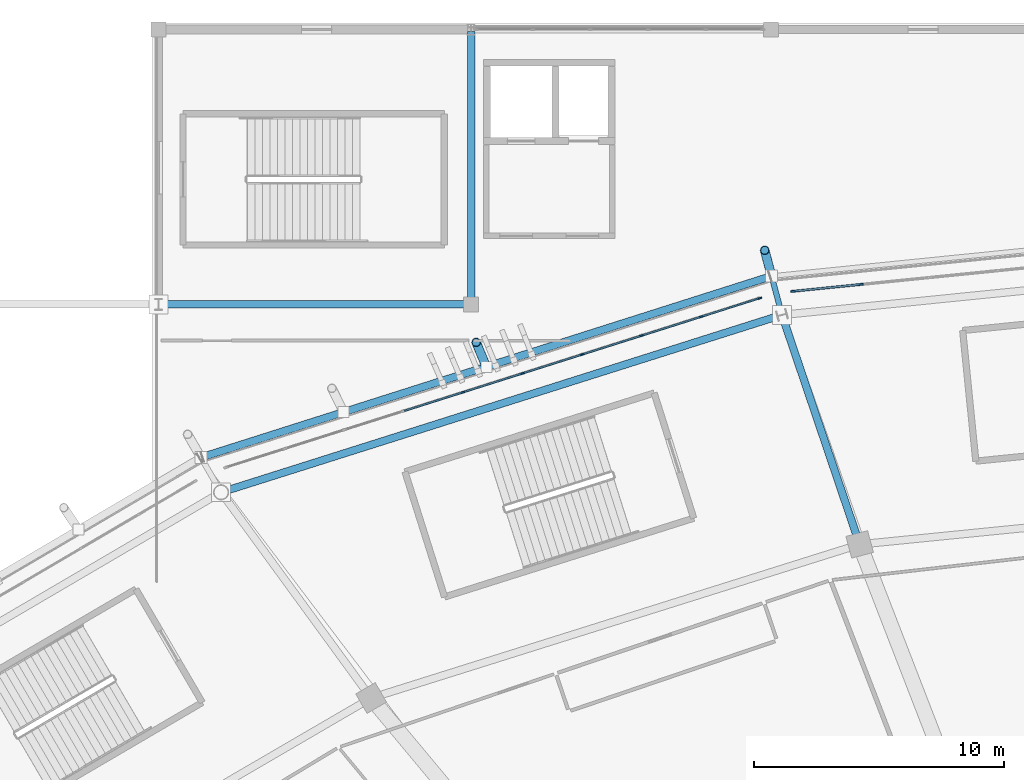
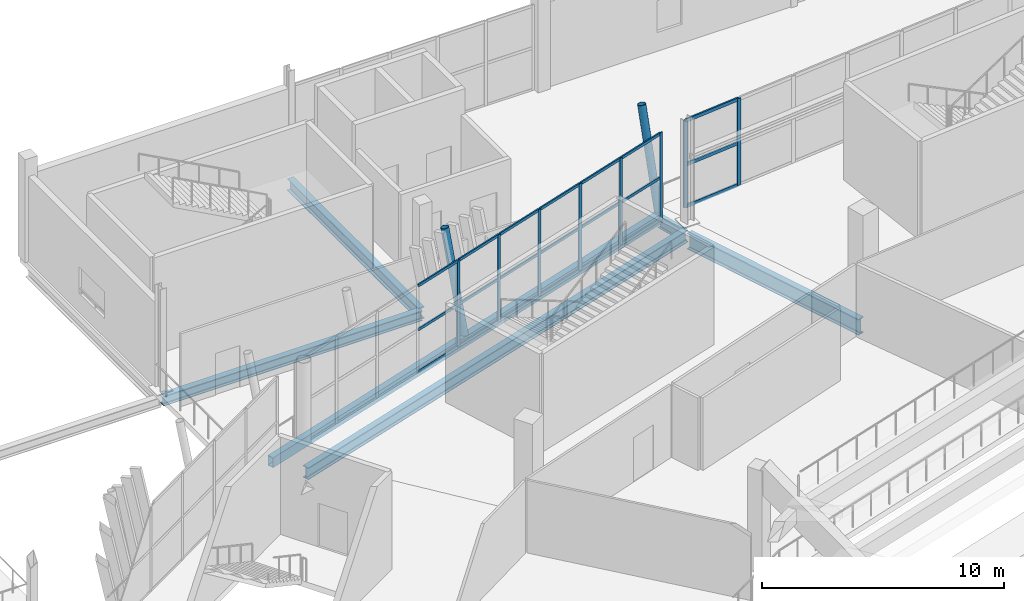
# One storey, part 73 of 178: 31 members, 6 beams, 2 elements without a shape of their own.
"""IFC4 building model written with IfcOpenShell, lengths in metres."""

from ifc_helpers import new_model, si_unit, direction, frame, origin, origin_2d, place, context, subcontext, project, spatial, rectangle, hollow_rectangle, hollow_circle, i_section, extrude, material, material_profile, profile_set, type_object, element, aggregate, save


model = new_model("IFC4")

# Units and contexts
model_context = context("Model", 3, precision=1e-05, world=origin(), true_north=direction((0.0, 1.0)))
body_context = subcontext(model_context, "Body", "Model", "MODEL_VIEW")
ifc_project = project(units=[si_unit("LENGTHUNIT", "METRE"), si_unit("AREAUNIT", "SQUARE_METRE"), si_unit("VOLUMEUNIT", "CUBIC_METRE"), si_unit("PLANEANGLEUNIT", "RADIAN"), si_unit("MASSUNIT", "GRAM", prefix="KILO")], contexts=[model_context])

# Site, building, storey
site_placement = place(None, origin())
site = spatial("IfcSite", under=ifc_project, at=site_placement, CompositionType="ELEMENT")
building_placement = place(site_placement, origin())
building = spatial("IfcBuilding", under=site, at=building_placement, Name="Zlatoyarsky Gate Stadium", CompositionType="ELEMENT")
storey_placement = place(building_placement, frame((0.0, 0.0, 5.39990234375)))
storey = spatial("IfcBuildingStorey", under=building, at=storey_placement, Name="L01", CompositionType="ELEMENT", Elevation=5.39990234375)

# Curtain wall, members
ifc_material_1 = material(Name="Thermally broken anodised aluminium curtain wall", Category="aluminium")
curtain_wall_type_1 = type_object("IfcCurtainWallType", Name="MONUMENTAL ARCHED GATE GLAZING LOWER", PredefinedType="USERDEFINED", material=ifc_material_1)
curtain_wall_1_placement = place(storey_placement, origin())
curtain_wall_1 = element("IfcCurtainWall", 1, at=curtain_wall_1_placement, inside=storey, type_object=curtain_wall_type_1, Name="Curtain wall CW-L01-06", ObjectType="ARCHED GATE GLAZING", PredefinedType="USERDEFINED")
ifc_material_2 = material(Name="Anodised aluminium 6063-T6", Category="aluminium")
ifc_material_profile_1 = material_profile(ifc_material_2, rectangle(XDim=0.074951171875, YDim=0.18994140625, at=origin_2d()), Name="ALU 75X190")
ifc_profile_set_1 = profile_set([ifc_material_profile_1], Name="Anodised aluminium 6063-T6")
member_type_1 = type_object("IfcMemberType", Name="ALUMINIUM GATE MULLION 75X190", PredefinedType="MULLION", material=ifc_profile_set_1)
member_1_placement = place(storey_placement, frame((90.088623046875, 149.800537109375, 0.0), z_axis=(0.0, 0.0, 1.0), x_axis=(0.100302795257, -0.994956958498, 0.0)))
member_1 = element("IfcMember", 2, at=member_1_placement, type_object=member_type_1, Name="CW-AG1 mullion 7", PredefinedType="MULLION", context=body_context, shape_type="SweptSolid", body=[
    extrude(rectangle(XDim=0.074951171875, YDim=0.18994140625, at=origin_2d()), origin(), (0.0, 0.0, 1.0), 4.400146484375),
])
member_2_placement = place(storey_placement, frame((87.378662109375, 149.52734375, 0.0), z_axis=(0.0, 0.0, 1.0), x_axis=(0.100302795257, -0.994956958498, 0.0)))
member_2 = element("IfcMember", 3, at=member_2_placement, type_object=member_type_1, Name="CW-AG1 mullion 8", PredefinedType="MULLION", context=body_context, shape_type="SweptSolid", body=[
    extrude(rectangle(XDim=0.074951171875, YDim=0.18994140625, at=origin_2d()), origin(), (0.0, 0.0, 1.0), 4.400146484375),
])
ifc_material_profile_2 = material_profile(ifc_material_2, rectangle(XDim=0.074951171875, YDim=0.169921875, at=origin_2d()), Name="ALU 75X170")
ifc_profile_set_2 = profile_set([ifc_material_profile_2], Name="Anodised aluminium 6063-T6")
member_type_2 = type_object("IfcMemberType", Name="ALUMINIUM GATE TRANSOM 75X170", PredefinedType="USERDEFINED", material=ifc_profile_set_2)
member_3_placement = place(storey_placement, frame((90.05126953125, 149.796630859375, 0.03759765625), z_axis=(-0.994958393325, -0.100288561417, 0.0), x_axis=(0.100288561417, -0.994958393325, 0.0)))
member_3 = element("IfcMember", 4, at=member_3_placement, type_object=member_type_2, Name="CW-AG1 transom 7.1", ObjectType="TRANSOM", PredefinedType="USERDEFINED", context=body_context, shape_type="SweptSolid", body=[
    extrude(rectangle(XDim=0.074951171875, YDim=0.169921875, at=origin_2d()), origin(), (0.0, 0.0, 1.0), 2.648681640625),
])
member_4_placement = place(storey_placement, frame((90.05126953125, 149.796630859375, 2.150146484375), z_axis=(-0.994958393325, -0.100288561417, 0.0), x_axis=(0.100288561417, -0.994958393325, 0.0)))
member_4 = element("IfcMember", 5, at=member_4_placement, type_object=member_type_2, Name="CW-AG1 transom 7.2", ObjectType="TRANSOM", PredefinedType="USERDEFINED", context=body_context, shape_type="SweptSolid", body=[
    extrude(rectangle(XDim=0.074951171875, YDim=0.169921875, at=origin_2d()), origin(), (0.0, 0.0, 1.0), 2.648681640625),
])
member_5_placement = place(storey_placement, frame((90.05126953125, 149.796630859375, 4.362548828125), z_axis=(-0.994958393325, -0.100288561417, 0.0), x_axis=(0.100288561417, -0.994958393325, 0.0)))
member_5 = element("IfcMember", 6, at=member_5_placement, type_object=member_type_2, Name="CW-AG1 transom 7.3", ObjectType="TRANSOM", PredefinedType="USERDEFINED", context=body_context, shape_type="SweptSolid", body=[
    extrude(rectangle(XDim=0.074951171875, YDim=0.169921875, at=origin_2d()), origin(), (0.0, 0.0, 1.0), 2.648681640625),
])
aggregate(curtain_wall_1, [member_1, member_2, member_3, member_4, member_5])

curtain_wall_type_2 = type_object("IfcCurtainWallType", Name="UNITISED HOSPITALITY GLAZING L01", PredefinedType="USERDEFINED", material=ifc_material_1)
curtain_wall_2_placement = place(storey_placement, origin())
curtain_wall_2 = element("IfcCurtainWall", 7, at=curtain_wall_2_placement, inside=storey, type_object=curtain_wall_type_2, Name="Curtain wall CW-L01-07", ObjectType="UNITISED GLAZING", PredefinedType="USERDEFINED")
ifc_material_profile_3 = material_profile(ifc_material_2, rectangle(XDim=0.06494140625, YDim=0.159912109375, at=origin_2d()), Name="ALU 65X160")
ifc_profile_set_3 = profile_set([ifc_material_profile_3], Name="Anodised aluminium 6063-T6")
member_type_3 = type_object("IfcMemberType", Name="ALUMINIUM MULLION 65X160", PredefinedType="MULLION", material=ifc_profile_set_3)
member_6_placement = place(storey_placement, frame((86.044189453125, 149.251953125, 0.0), z_axis=(0.0, 0.0, 1.0), x_axis=(0.302335228022, -0.953201662764, 0.0)))
member_6 = element("IfcMember", 8, at=member_6_placement, type_object=member_type_3, Name="CW-UG1 mullion 1", PredefinedType="MULLION", context=body_context, shape_type="SweptSolid", body=[
    extrude(rectangle(XDim=0.06494140625, YDim=0.159912109375, at=origin_2d()), origin(), (0.0, 0.0, 1.0), 4.400146484375),
])
member_7_placement = place(storey_placement, frame((83.6962890625, 148.50732421875, 0.0), z_axis=(0.0, 0.0, 1.0), x_axis=(0.302335228022, -0.953201662764, 0.0)))
member_7 = element("IfcMember", 9, at=member_7_placement, type_object=member_type_3, Name="CW-UG1 mullion 2", PredefinedType="MULLION", context=body_context, shape_type="SweptSolid", body=[
    extrude(rectangle(XDim=0.06494140625, YDim=0.159912109375, at=origin_2d()), origin(), (0.0, 0.0, 1.0), 4.400146484375),
])
member_8_placement = place(storey_placement, frame((81.3173828125, 147.752685546875, 0.0), z_axis=(0.0, 0.0, 1.0), x_axis=(0.302335228022, -0.953201662764, 0.0)))
member_8 = element("IfcMember", 10, at=member_8_placement, type_object=member_type_3, Name="CW-UG1 mullion 3", PredefinedType="MULLION", context=body_context, shape_type="SweptSolid", body=[
    extrude(rectangle(XDim=0.06494140625, YDim=0.159912109375, at=origin_2d()), origin(), (0.0, 0.0, 1.0), 4.400146484375),
])
member_9_placement = place(storey_placement, frame((78.9384765625, 146.998291015625, 0.0), z_axis=(0.0, 0.0, 1.0), x_axis=(0.302335228022, -0.953201662764, 0.0)))
member_9 = element("IfcMember", 11, at=member_9_placement, type_object=member_type_3, Name="CW-UG1 mullion 4", PredefinedType="MULLION", context=body_context, shape_type="SweptSolid", body=[
    extrude(rectangle(XDim=0.06494140625, YDim=0.159912109375, at=origin_2d()), origin(), (0.0, 0.0, 1.0), 4.400146484375),
])
member_10_placement = place(storey_placement, frame((76.5595703125, 146.24365234375, 0.0), z_axis=(0.0, 0.0, 1.0), x_axis=(0.302335228022, -0.953201662764, 0.0)))
member_10 = element("IfcMember", 12, at=member_10_placement, type_object=member_type_3, Name="CW-UG1 mullion 5", PredefinedType="MULLION", context=body_context, shape_type="SweptSolid", body=[
    extrude(rectangle(XDim=0.06494140625, YDim=0.159912109375, at=origin_2d()), origin(), (0.0, 0.0, 1.0), 4.400146484375),
])
member_11_placement = place(storey_placement, frame((74.180908203125, 145.4892578125, 0.0), z_axis=(0.0, 0.0, 1.0), x_axis=(0.302335228022, -0.953201662764, 0.0)))
member_11 = element("IfcMember", 13, at=member_11_placement, type_object=member_type_3, Name="CW-UG1 mullion 6", PredefinedType="MULLION", context=body_context, shape_type="SweptSolid", body=[
    extrude(rectangle(XDim=0.06494140625, YDim=0.159912109375, at=origin_2d()), origin(), (0.0, 0.0, 1.0), 4.400146484375),
])
ifc_material_profile_4 = material_profile(ifc_material_2, rectangle(XDim=0.06494140625, YDim=0.139892578125, at=origin_2d()), Name="ALU 65X140")
ifc_profile_set_4 = profile_set([ifc_material_profile_4], Name="Anodised aluminium 6063-T6")
member_type_4 = type_object("IfcMemberType", Name="ALUMINIUM TRANSOM 65X140", PredefinedType="USERDEFINED", material=ifc_profile_set_4)
member_12_placement = place(storey_placement, frame((86.01318359375, 149.2421875, 0.03271484375), z_axis=(-0.953194146276, -0.302358924964, 0.0), x_axis=(0.302358924964, -0.953194146276, 0.0)))
member_12 = element("IfcMember", 14, at=member_12_placement, type_object=member_type_4, Name="CW-UG1 transom 1.1", ObjectType="TRANSOM", PredefinedType="USERDEFINED", context=body_context, shape_type="SweptSolid", body=[
    extrude(rectangle(XDim=0.06494140625, YDim=0.139892578125, at=origin_2d()), origin(), (0.0, 0.0, 1.0), 2.398193359375),
])
member_13_placement = place(storey_placement, frame((86.01318359375, 149.2421875, 2.150146484375), z_axis=(-0.953194146276, -0.302358924964, 0.0), x_axis=(0.302358924964, -0.953194146276, 0.0)))
member_13 = element("IfcMember", 15, at=member_13_placement, type_object=member_type_4, Name="CW-UG1 transom 1.2", ObjectType="TRANSOM", PredefinedType="USERDEFINED", context=body_context, shape_type="SweptSolid", body=[
    extrude(rectangle(XDim=0.06494140625, YDim=0.139892578125, at=origin_2d()), origin(), (0.0, 0.0, 1.0), 2.398193359375),
])
member_14_placement = place(storey_placement, frame((86.01318359375, 149.2421875, 4.36767578125), z_axis=(-0.953194146276, -0.302358924964, 0.0), x_axis=(0.302358924964, -0.953194146276, 0.0)))
member_14 = element("IfcMember", 16, at=member_14_placement, type_object=member_type_4, Name="CW-UG1 transom 1.3", ObjectType="TRANSOM", PredefinedType="USERDEFINED", context=body_context, shape_type="SweptSolid", body=[
    extrude(rectangle(XDim=0.06494140625, YDim=0.139892578125, at=origin_2d()), origin(), (0.0, 0.0, 1.0), 2.398193359375),
])
member_15_placement = place(storey_placement, frame((83.665283203125, 148.49755859375, 0.03271484375), z_axis=(-0.953202400963, -0.302332900622, 0.0), x_axis=(0.302332900622, -0.953202400963, 0.0)))
member_15 = element("IfcMember", 17, at=member_15_placement, type_object=member_type_4, Name="CW-UG1 transom 2.1", ObjectType="TRANSOM", PredefinedType="USERDEFINED", context=body_context, shape_type="SweptSolid", body=[
    extrude(rectangle(XDim=0.06494140625, YDim=0.139892578125, at=origin_2d()), origin(), (0.0, 0.0, 1.0), 2.4306640625),
])
member_16_placement = place(storey_placement, frame((83.665283203125, 148.49755859375, 2.150146484375), z_axis=(-0.953202400963, -0.302332900622, 0.0), x_axis=(0.302332900622, -0.953202400963, 0.0)))
member_16 = element("IfcMember", 18, at=member_16_placement, type_object=member_type_4, Name="CW-UG1 transom 2.2", ObjectType="TRANSOM", PredefinedType="USERDEFINED", context=body_context, shape_type="SweptSolid", body=[
    extrude(rectangle(XDim=0.06494140625, YDim=0.139892578125, at=origin_2d()), origin(), (0.0, 0.0, 1.0), 2.4306640625),
])
member_17_placement = place(storey_placement, frame((83.665283203125, 148.49755859375, 4.36767578125), z_axis=(-0.953202400963, -0.302332900622, 0.0), x_axis=(0.302332900622, -0.953202400963, 0.0)))
member_17 = element("IfcMember", 19, at=member_17_placement, type_object=member_type_4, Name="CW-UG1 transom 2.3", ObjectType="TRANSOM", PredefinedType="USERDEFINED", context=body_context, shape_type="SweptSolid", body=[
    extrude(rectangle(XDim=0.06494140625, YDim=0.139892578125, at=origin_2d()), origin(), (0.0, 0.0, 1.0), 2.4306640625),
])
member_18_placement = place(storey_placement, frame((81.286376953125, 147.742919921875, 0.03271484375), z_axis=(-0.953202400963, -0.302332900622, 0.0), x_axis=(0.302332900622, -0.953202400963, 0.0)))
member_18 = element("IfcMember", 20, at=member_18_placement, type_object=member_type_4, Name="CW-UG1 transom 3.1", ObjectType="TRANSOM", PredefinedType="USERDEFINED", context=body_context, shape_type="SweptSolid", body=[
    extrude(rectangle(XDim=0.06494140625, YDim=0.139892578125, at=origin_2d()), origin(), (0.0, 0.0, 1.0), 2.4306640625),
])
member_19_placement = place(storey_placement, frame((81.286376953125, 147.742919921875, 2.150146484375), z_axis=(-0.953202400963, -0.302332900622, 0.0), x_axis=(0.302332900622, -0.953202400963, 0.0)))
member_19 = element("IfcMember", 21, at=member_19_placement, type_object=member_type_4, Name="CW-UG1 transom 3.2", ObjectType="TRANSOM", PredefinedType="USERDEFINED", context=body_context, shape_type="SweptSolid", body=[
    extrude(rectangle(XDim=0.06494140625, YDim=0.139892578125, at=origin_2d()), origin(), (0.0, 0.0, 1.0), 2.4306640625),
])
member_20_placement = place(storey_placement, frame((81.286376953125, 147.742919921875, 4.36767578125), z_axis=(-0.953202400963, -0.302332900622, 0.0), x_axis=(0.302332900622, -0.953202400963, 0.0)))
member_20 = element("IfcMember", 22, at=member_20_placement, type_object=member_type_4, Name="CW-UG1 transom 3.3", ObjectType="TRANSOM", PredefinedType="USERDEFINED", context=body_context, shape_type="SweptSolid", body=[
    extrude(rectangle(XDim=0.06494140625, YDim=0.139892578125, at=origin_2d()), origin(), (0.0, 0.0, 1.0), 2.4306640625),
])
member_21_placement = place(storey_placement, frame((78.907470703125, 146.988525390625, 0.03271484375), z_axis=(-0.953173451414, -0.302424158294, 0.0), x_axis=(0.302424158294, -0.953173451414, 0.0)))
member_21 = element("IfcMember", 23, at=member_21_placement, type_object=member_type_4, Name="CW-UG1 transom 4.1", ObjectType="TRANSOM", PredefinedType="USERDEFINED", context=body_context, shape_type="SweptSolid", body=[
    extrude(rectangle(XDim=0.06494140625, YDim=0.139892578125, at=origin_2d()), origin(), (0.0, 0.0, 1.0), 2.4306640625),
])
member_22_placement = place(storey_placement, frame((78.907470703125, 146.988525390625, 2.150146484375), z_axis=(-0.953173451414, -0.302424158294, 0.0), x_axis=(0.302424158294, -0.953173451414, 0.0)))
member_22 = element("IfcMember", 24, at=member_22_placement, type_object=member_type_4, Name="CW-UG1 transom 4.2", ObjectType="TRANSOM", PredefinedType="USERDEFINED", context=body_context, shape_type="SweptSolid", body=[
    extrude(rectangle(XDim=0.06494140625, YDim=0.139892578125, at=origin_2d()), origin(), (0.0, 0.0, 1.0), 2.4306640625),
])
member_23_placement = place(storey_placement, frame((78.907470703125, 146.988525390625, 4.36767578125), z_axis=(-0.953173451414, -0.302424158294, 0.0), x_axis=(0.302424158294, -0.953173451414, 0.0)))
member_23 = element("IfcMember", 25, at=member_23_placement, type_object=member_type_4, Name="CW-UG1 transom 4.3", ObjectType="TRANSOM", PredefinedType="USERDEFINED", context=body_context, shape_type="SweptSolid", body=[
    extrude(rectangle(XDim=0.06494140625, YDim=0.139892578125, at=origin_2d()), origin(), (0.0, 0.0, 1.0), 2.4306640625),
])
member_24_placement = place(storey_placement, frame((76.52880859375, 146.23388671875, 0.03271484375), z_axis=(-0.953202400963, -0.302332900622, 0.0), x_axis=(0.302332900622, -0.953202400963, 0.0)))
member_24 = element("IfcMember", 26, at=member_24_placement, type_object=member_type_4, Name="CW-UG1 transom 5.1", ObjectType="TRANSOM", PredefinedType="USERDEFINED", context=body_context, shape_type="SweptSolid", body=[
    extrude(rectangle(XDim=0.06494140625, YDim=0.139892578125, at=origin_2d()), origin(), (0.0, 0.0, 1.0), 2.4306640625),
])
member_25_placement = place(storey_placement, frame((76.52880859375, 146.23388671875, 2.150146484375), z_axis=(-0.953202400963, -0.302332900622, 0.0), x_axis=(0.302332900622, -0.953202400963, 0.0)))
member_25 = element("IfcMember", 27, at=member_25_placement, type_object=member_type_4, Name="CW-UG1 transom 5.2", ObjectType="TRANSOM", PredefinedType="USERDEFINED", context=body_context, shape_type="SweptSolid", body=[
    extrude(rectangle(XDim=0.06494140625, YDim=0.139892578125, at=origin_2d()), origin(), (0.0, 0.0, 1.0), 2.4306640625),
])
member_26_placement = place(storey_placement, frame((76.52880859375, 146.23388671875, 4.36767578125), z_axis=(-0.953202400963, -0.302332900622, 0.0), x_axis=(0.302332900622, -0.953202400963, 0.0)))
member_26 = element("IfcMember", 28, at=member_26_placement, type_object=member_type_4, Name="CW-UG1 transom 5.3", ObjectType="TRANSOM", PredefinedType="USERDEFINED", context=body_context, shape_type="SweptSolid", body=[
    extrude(rectangle(XDim=0.06494140625, YDim=0.139892578125, at=origin_2d()), origin(), (0.0, 0.0, 1.0), 2.4306640625),
])
member_27_placement = place(storey_placement, frame((74.14990234375, 145.479248046875, 0.03271484375), z_axis=(-0.953202400963, -0.302332900622, 0.0), x_axis=(0.302332900622, -0.953202400963, 0.0)))
member_27 = element("IfcMember", 29, at=member_27_placement, type_object=member_type_4, Name="CW-UG1 transom 6.1", ObjectType="TRANSOM", PredefinedType="USERDEFINED", context=body_context, shape_type="SweptSolid", body=[
    extrude(rectangle(XDim=0.06494140625, YDim=0.139892578125, at=origin_2d()), origin(), (0.0, 0.0, 1.0), 2.4306640625),
])
member_28_placement = place(storey_placement, frame((74.14990234375, 145.479248046875, 2.150146484375), z_axis=(-0.953202400963, -0.302332900622, 0.0), x_axis=(0.302332900622, -0.953202400963, 0.0)))
member_28 = element("IfcMember", 30, at=member_28_placement, type_object=member_type_4, Name="CW-UG1 transom 6.2", ObjectType="TRANSOM", PredefinedType="USERDEFINED", context=body_context, shape_type="SweptSolid", body=[
    extrude(rectangle(XDim=0.06494140625, YDim=0.139892578125, at=origin_2d()), origin(), (0.0, 0.0, 1.0), 2.4306640625),
])
member_29_placement = place(storey_placement, frame((74.14990234375, 145.479248046875, 4.36767578125), z_axis=(-0.953202400963, -0.302332900622, 0.0), x_axis=(0.302332900622, -0.953202400963, 0.0)))
member_29 = element("IfcMember", 31, at=member_29_placement, type_object=member_type_4, Name="CW-UG1 transom 6.3", ObjectType="TRANSOM", PredefinedType="USERDEFINED", context=body_context, shape_type="SweptSolid", body=[
    extrude(rectangle(XDim=0.06494140625, YDim=0.139892578125, at=origin_2d()), origin(), (0.0, 0.0, 1.0), 2.4306640625),
])
aggregate(curtain_wall_2, [member_6, member_7, member_8, member_9, member_10, member_11, member_12, member_13, member_14, member_15, member_16, member_17, member_18, member_19, member_20, member_21, member_22, member_23, member_24, member_25, member_26, member_27, member_28, member_29])

# Beam
ifc_material_3 = material(Name="Steel S355", Category="steel")
ifc_material_profile_5 = material_profile(ifc_material_3, i_section(OverallWidth=0.219970703125, OverallDepth=0.60009765625, WebThickness=0.011962890625, FlangeThickness=0.01904296875, FilletRadius=0.02392578125, at=origin_2d()), Name="IPE 600")
ifc_profile_set_5 = profile_set([ifc_material_profile_5], Name="Steel S355")
beam_type_1 = type_object("IfcBeamType", Name="STEEL CANTILEVER FLOOR BEAM IPE 600", PredefinedType="BEAM", material=ifc_profile_set_5)
beam_1_placement = place(storey_placement, frame((86.898681640625, 148.696533203125, -0.760009765625), z_axis=(-0.258785268971, 0.965934875943, 0.0), x_axis=(-0.965934875943, -0.258785268971, 0.0)))
element("IfcBeam", 32, at=beam_1_placement, inside=storey, type_object=beam_type_1, Name="Beam B-IPE600 BM-L01-OUT-07", PredefinedType="BEAM", context=body_context, shape_type="SweptSolid", body=[
    extrude(i_section(OverallWidth=0.219970703125, OverallDepth=0.60009765625, WebThickness=0.011962890625, FlangeThickness=0.01904296875, FilletRadius=0.02392578125, at=origin_2d()), origin(), (0.0, 0.0, 1.0), 1.48876953125),
])

# Members
ifc_material_profile_6 = material_profile(ifc_material_3, hollow_circle(Radius=0.177734375, WallThickness=0.02001953125, at=origin_2d()), Name="CHS 355.6X20")
ifc_profile_set_6 = profile_set([ifc_material_profile_6], Name="Steel S355")
member_type_5 = type_object("IfcMemberType", Name="STEEL LEANING RIB RING STRUT CHS 355.6X20", PredefinedType="STRUT", material=ifc_profile_set_6)
member_30_placement = place(storey_placement, frame((86.513427734375, 150.134521484375, -0.760009765625), z_axis=(-0.050341687728, 0.187969007318, 0.980883972121), x_axis=(-0.965957238494, -0.258701784688, 0.0)))
element("IfcMember", 33, at=member_30_placement, inside=storey, type_object=member_type_5, Name="Leaning ring strut 07 L01 to L02", PredefinedType="STRUT", context=body_context, shape_type="SweptSolid", body=[
    extrude(hollow_circle(Radius=0.177734375, WallThickness=0.02001953125, at=origin_2d()), origin(), (0.0, 0.0, 1.0), 5.48486328125),
])
member_31_placement = place(storey_placement, frame((75.1044921875, 146.507568359375, -0.5498046875), z_axis=(-0.075999402803, 0.18358118711, 0.98006226257), x_axis=(-0.923954987956, -0.382501215988, 0.0)))
element("IfcMember", 34, at=member_31_placement, inside=storey, type_object=member_type_5, Name="Outward-leaning bowl louvre fin rib L01 07-2", PredefinedType="STRUT", context=body_context, shape_type="SweptSolid", body=[
    extrude(hollow_circle(Radius=0.177734375, WallThickness=0.02001953125, at=origin_2d()), origin(), (0.0, 0.0, 1.0), 5.326171875),
])

# Beams
ifc_material_profile_7 = material_profile(ifc_material_3, hollow_rectangle(XDim=0.300048828125, YDim=0.5, WallThickness=0.02001953125, at=origin_2d()), Name="RHS 500X300X20")
ifc_profile_set_7 = profile_set([ifc_material_profile_7], Name="Steel S355")
beam_type_2 = type_object("IfcBeamType", Name="STEEL LOUVRE CARRIER SPANDREL RHS 500X300X20", PredefinedType="SPANDREL", material=ifc_profile_set_7)
beam_2_placement = place(storey_placement, frame((86.494384765625, 150.12841796875, -0.5498046875), z_axis=(-0.953005292775, -0.302953646525, 0.0), x_axis=(0.302953646525, -0.953005292775, 0.0)))
element("IfcBeam", 35, at=beam_2_placement, inside=storey, type_object=beam_type_2, Name="Beam SP-RHS500 BM-L01-SPD-07", PredefinedType="SPANDREL", context=body_context, shape_type="SweptSolid", body=[
    extrude(hollow_rectangle(XDim=0.300048828125, YDim=0.5, WallThickness=0.02001953125, at=origin_2d()), origin(), (0.0, 0.0, 1.0), 23.90283203125),
])
ifc_material_profile_8 = material_profile(ifc_material_3, i_section(OverallWidth=0.300048828125, OverallDepth=0.5, WebThickness=0.014404296875, FlangeThickness=0.028076171875, FilletRadius=0.027099609375, at=origin_2d()), Name="HEB 500")
ifc_profile_set_8 = profile_set([ifc_material_profile_8], Name="Steel S355")
beam_type_3 = type_object("IfcBeamType", Name="STEEL PRIMARY GIRDER HEB 500", PredefinedType="BEAM", material=ifc_profile_set_8)
beam_3_placement = place(storey_placement, frame((62.080078125, 149.0, -0.5498046875), z_axis=(1.0, 0.0, 0.0), x_axis=(0.0, 1.0, 0.0)))
element("IfcBeam", 36, at=beam_3_placement, inside=storey, type_object=beam_type_3, Name="Beam G-HEB500 BM-L01-WGX-6-P", PredefinedType="BEAM", context=body_context, shape_type="SweptSolid", body=[
    extrude(i_section(OverallWidth=0.300048828125, OverallDepth=0.5, WebThickness=0.014404296875, FlangeThickness=0.028076171875, FilletRadius=0.027099609375, at=origin_2d()), origin(), (0.0, 0.0, 1.0), 12.33984375),
])
ifc_material_profile_9 = material_profile(ifc_material_3, i_section(OverallWidth=0.300048828125, OverallDepth=0.60009765625, WebThickness=0.015380859375, FlangeThickness=0.030029296875, FilletRadius=0.027099609375, at=origin_2d()), Name="HEB 600")
ifc_profile_set_9 = profile_set([ifc_material_profile_9], Name="Steel S355")
beam_type_4 = type_object("IfcBeamType", Name="STEEL PRIMARY GIRDER HEB 600", PredefinedType="BEAM", material=ifc_profile_set_9)
beam_4_placement = place(storey_placement, frame((86.8154296875, 148.54443359375, -0.599853515625), z_axis=(-0.953463107403, -0.301509706015, 0.0), x_axis=(0.301509706015, -0.953463107403, 0.0)))
element("IfcBeam", 37, at=beam_4_placement, inside=storey, type_object=beam_type_4, Name="Beam G-HEB600 BM-L01-CRC-07", PredefinedType="BEAM", context=body_context, shape_type="SweptSolid", body=[
    extrude(i_section(OverallWidth=0.300048828125, OverallDepth=0.60009765625, WebThickness=0.015380859375, FlangeThickness=0.030029296875, FilletRadius=0.027099609375, at=origin_2d()), origin(), (0.0, 0.0, 1.0), 23.284423828125),
])
beam_5_placement = place(storey_placement, frame((74.5, 149.080078125, -0.599853515625), z_axis=(0.0, 1.0, 0.0), x_axis=(-1.0, 0.0, 0.0)))
element("IfcBeam", 38, at=beam_5_placement, inside=storey, type_object=beam_type_4, Name="Beam G-HEB600 BM-L01-WGY-7-P", PredefinedType="BEAM", context=body_context, shape_type="SweptSolid", body=[
    extrude(i_section(OverallWidth=0.300048828125, OverallDepth=0.60009765625, WebThickness=0.015380859375, FlangeThickness=0.030029296875, FilletRadius=0.027099609375, at=origin_2d()), origin(), (0.0, 0.0, 1.0), 10.83984375),
])
ifc_material_profile_10 = material_profile(ifc_material_3, i_section(OverallWidth=0.300048828125, OverallDepth=0.800048828125, WebThickness=0.017578125, FlangeThickness=0.032958984375, FilletRadius=0.030029296875, at=origin_2d()), Name="HEB 800")
ifc_profile_set_10 = profile_set([ifc_material_profile_10], Name="Steel S355")
beam_type_5 = type_object("IfcBeamType", Name="STEEL PRIMARY GIRDER HEB 800", PredefinedType="BEAM", material=ifc_profile_set_10)
beam_6_placement = place(storey_placement, frame((89.997314453125, 139.51806640625, -0.85986328125), z_axis=(-0.320612225581, 0.947210536686, 0.0), x_axis=(-0.947210536686, -0.320612225581, 0.0)))
element("IfcBeam", 39, at=beam_6_placement, inside=storey, type_object=beam_type_5, Name="Beam G-HEB800 BM-L01-RBC-07", PredefinedType="BEAM", context=body_context, shape_type="SweptSolid", body=[
    extrude(i_section(OverallWidth=0.300048828125, OverallDepth=0.800048828125, WebThickness=0.017578125, FlangeThickness=0.032958984375, FilletRadius=0.030029296875, at=origin_2d()), origin(), (0.0, 0.0, 1.0), 9.44775390625),
])

save(model, "model.ifc")
